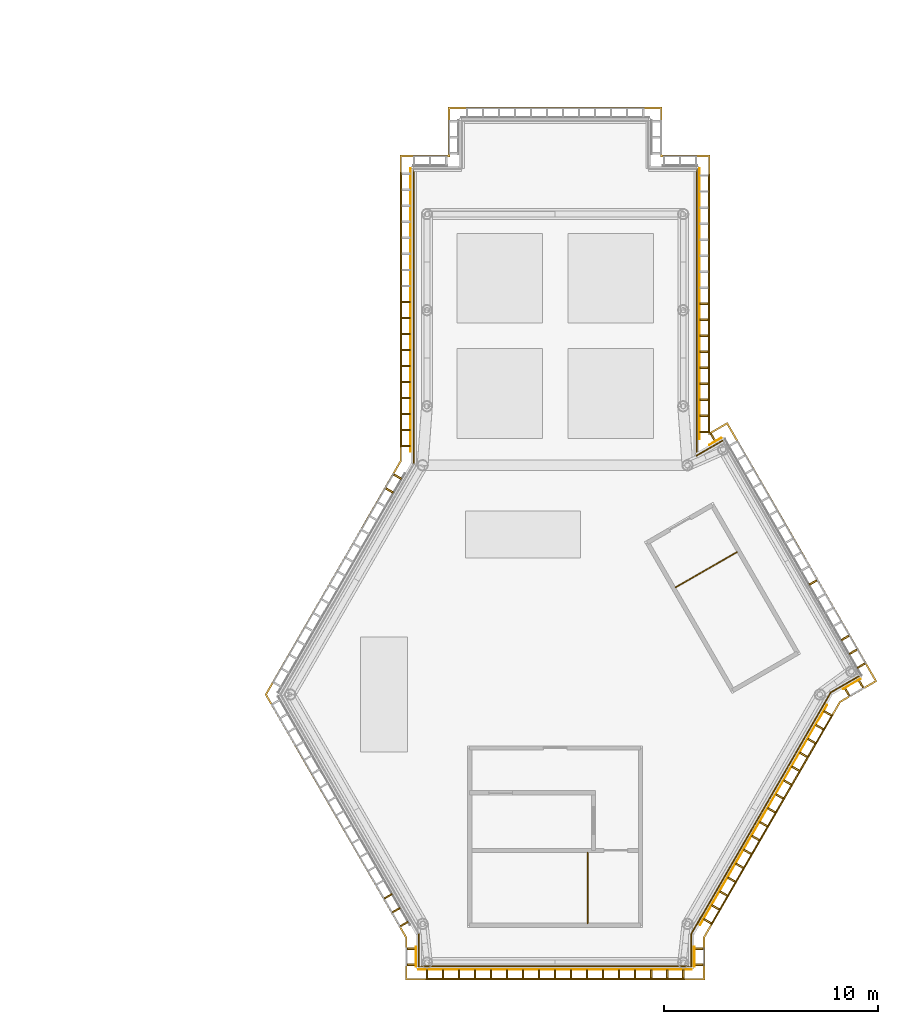
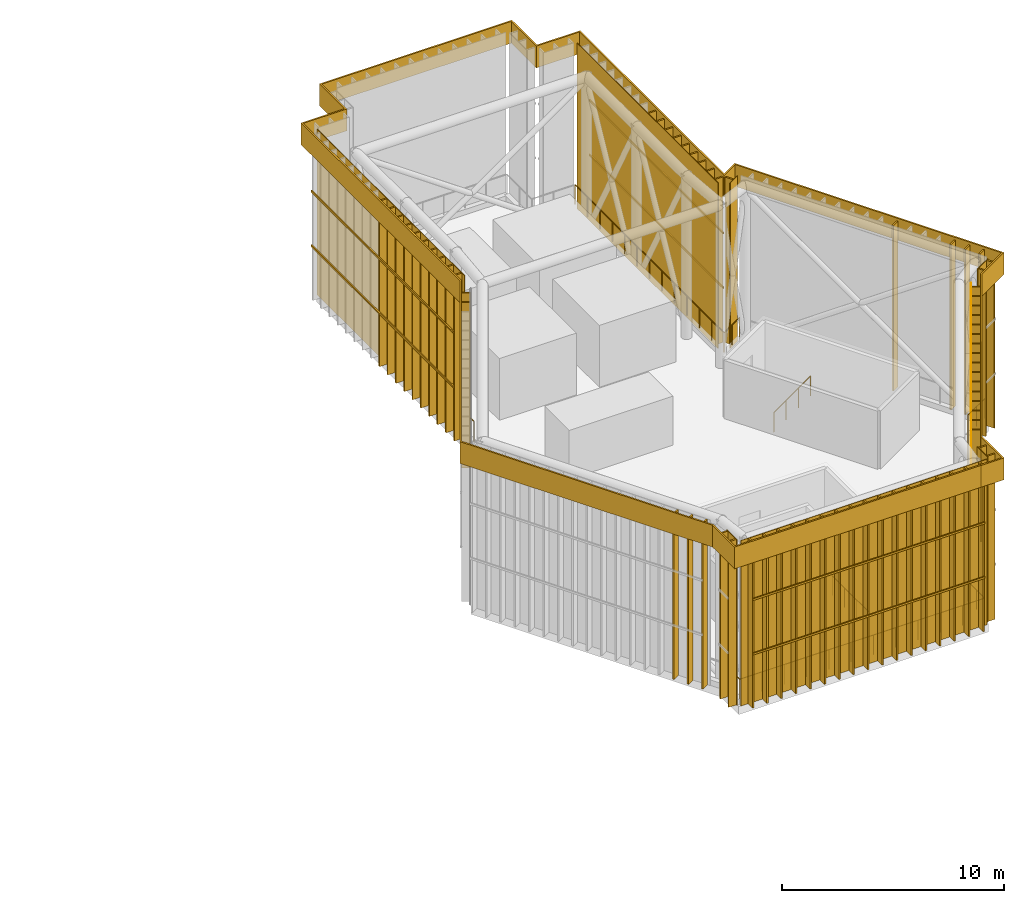
# One storey, part 13 of 17: 85 coverings, 10 railings.
"""IFC4 building model written with IfcOpenShell, lengths in metres."""

from ifc_helpers import new_model, si_unit, direction, frame, origin, origin_2d, place, context, subcontext, project, spatial, polyline, rectangle, circle, outline, extrude, material, layer, layer_set, type_object, element, save


model = new_model("IFC4")

# Units and contexts
model_context = context("Model", 3, precision=1e-05, world=origin(), true_north=direction((0.0, 1.0)))
body_context = subcontext(model_context, "Body", "Model", "MODEL_VIEW")
ifc_project = project(units=[si_unit("LENGTHUNIT", "METRE"), si_unit("AREAUNIT", "SQUARE_METRE"), si_unit("VOLUMEUNIT", "CUBIC_METRE"), si_unit("PLANEANGLEUNIT", "RADIAN"), si_unit("MASSUNIT", "GRAM", prefix="KILO")], contexts=[model_context])

# Site, building, storey
site_placement = place(None, origin())
site = spatial("IfcSite", under=ifc_project, at=site_placement, CompositionType="ELEMENT")
building_placement = place(site_placement, origin())
building = spatial("IfcBuilding", under=site, at=building_placement, Name="Upepo Twin Towers", CompositionType="ELEMENT")
storey_placement = place(building_placement, frame((0.0, 0.0, 296.5)))
storey = spatial("IfcBuildingStorey", under=building, at=storey_placement, Name="RF", CompositionType="ELEMENT", Elevation=296.5)

# Coverings
ifc_material_1 = material(Name="Folded aluminium sheet, pale silver, on a galvanised steel subframe", Category="steel")
ifc_layer_1 = layer(ifc_material_1, 0.080078125)
ifc_layer_set_1 = layer_set([ifc_layer_1], Name="Crown cap fascia 1200 folded aluminium")
covering_type_1 = type_object("IfcCoveringType", Name="Crown cap fascia 1200 folded aluminium", PredefinedType="CLADDING", material=ifc_layer_set_1)
covering_1_placement = place(storey_placement, frame((0.0, 0.0, 8.053955078125)))
element("IfcCovering", 1, at=covering_1_placement, inside=storey, type_object=covering_type_1, Name="T2 crown cap fascia", PredefinedType="CLADDING", context=body_context, shape_type="SweptSolid", body=[
    extrude(outline(polyline([(66.572265625, -5.2451171875), (73.582275390625, -17.38671875), (71.873291015625, -18.373291015625), (65.510009765625, -29.39501953125), (65.510009765625, -31.368408203125), (51.489990234375, -31.368408203125), (51.489990234375, -29.39501953125), (44.9111328125, -18.0), (51.239990234375, -7.0380859375), (51.239990234375, 7.260009765625), (53.489990234375, 7.260009765625), (53.489990234375, 9.510009765625), (63.510009765625, 9.510009765625), (63.510009765625, 7.260009765625), (65.760009765625, 7.260009765625), (65.760009765625, -5.7138671875), (66.572265625, -5.2451171875)]), holes=[polyline([(66.54296875, -5.354248046875), (73.47314453125, -17.357421875), (71.814697265625, -18.314697265625), (65.429931640625, -29.37353515625), (65.429931640625, -31.288330078125), (51.570068359375, -31.288330078125), (51.570068359375, -29.37353515625), (45.00341796875, -18.0), (51.320068359375, -7.0595703125), (51.320068359375, 7.179931640625), (53.570068359375, 7.179931640625), (53.570068359375, 9.429931640625), (63.429931640625, 9.429931640625), (63.429931640625, 7.179931640625), (65.679931640625, 7.179931640625), (65.679931640625, -5.8525390625), (66.54296875, -5.354248046875)])]), origin(), (0.0, 0.0, 1.0), 1.199951171875),
])
ifc_material_2 = material(Name="Anodised aluminium, pale silver", Category="aluminium")
covering_type_2 = type_object("IfcCoveringType", Name="Crown screen fin 80x400 pale aluminium", PredefinedType="CLADDING", material=ifc_material_2)
for number, where, z_axis, x_axis, name in (
    (2, (65.897705078125, -5.957763671875, 0.0), (0.0, 0.0, 1.0), (-0.866025613224, -0.49999963724, 0.0), "T2 crown screen fin 1.1"),
    (3, (65.47998046875, -5.69873046875, 0.0), (0.0, 0.0, 1.0), (0.0, 1.0, 0.0), "T2 crown screen fin 2.1"),
    (4, (65.47998046875, -4.94873046875, 0.0), (0.0, 0.0, 1.0), (0.0, 1.0, 0.0), "T2 crown screen fin 2.2"),
    (5, (65.47998046875, -4.19873046875, 0.0), (0.0, 0.0, 1.0), (0.0, 1.0, 0.0), "T2 crown screen fin 2.3"),
    (6, (65.47998046875, -3.44873046875, 0.0), (0.0, 0.0, 1.0), (0.0, 1.0, 0.0), "T2 crown screen fin 2.4"),
    (7, (65.47998046875, -2.69873046875, 0.0), (0.0, 0.0, 1.0), (0.0, 1.0, 0.0), "T2 crown screen fin 2.5"),
    (8, (65.47998046875, -1.94873046875, 0.0), (0.0, 0.0, 1.0), (0.0, 1.0, 0.0), "T2 crown screen fin 2.6"),
    (9, (65.47998046875, -1.19873046875, 0.0), (0.0, 0.0, 1.0), (0.0, 1.0, 0.0), "T2 crown screen fin 2.7"),
    (10, (65.47998046875, -0.44873046875, 0.0), (0.0, 0.0, 1.0), (0.0, 1.0, 0.0), "T2 crown screen fin 2.8"),
    (11, (65.47998046875, 0.30126953125, 0.0), (0.0, 0.0, 1.0), (0.0, 1.0, 0.0), "T2 crown screen fin 2.9"),
    (12, (51.52001953125, 0.3876953125, 0.0), (0.0, 0.0, 1.0), (0.0, -1.0, 0.0), "T2 crown screen fin 8.9"),
    (13, (51.52001953125, -0.3623046875, 0.0), (0.0, 0.0, 1.0), (0.0, -1.0, 0.0), "T2 crown screen fin 8.10"),
    (14, (51.52001953125, -1.1123046875, 0.0), (0.0, 0.0, 1.0), (0.0, -1.0, 0.0), "T2 crown screen fin 8.11"),
    (15, (51.52001953125, -1.8623046875, 0.0), (0.0, 0.0, 1.0), (0.0, -1.0, 0.0), "T2 crown screen fin 8.12"),
    (16, (51.52001953125, -2.6123046875, 0.0), (0.0, 0.0, 1.0), (0.0, -1.0, 0.0), "T2 crown screen fin 8.13"),
    (17, (51.52001953125, -3.3623046875, 0.0), (0.0, 0.0, 1.0), (0.0, -1.0, 0.0), "T2 crown screen fin 8.14"),
    (18, (51.52001953125, -4.1123046875, 0.0), (0.0, 0.0, 1.0), (0.0, -1.0, 0.0), "T2 crown screen fin 8.15"),
    (19, (51.52001953125, -4.8623046875, 0.0), (0.0, 0.0, 1.0), (0.0, -1.0, 0.0), "T2 crown screen fin 8.16"),
    (20, (51.52001953125, -5.6123046875, 0.0), (0.0, 0.0, 1.0), (0.0, -1.0, 0.0), "T2 crown screen fin 8.17"),
    (21, (51.52001953125, -6.3623046875, 0.0), (0.0, 0.0, 1.0), (0.0, -1.0, 0.0), "T2 crown screen fin 8.18"),
    (22, (51.125732421875, -7.7958984375, 0.0), (0.0, 0.0, 1.0), (-0.499999984885, -0.866025412511, 0.0), "T2 crown screen fin 9.1"),
    (23, (50.750732421875, -8.4453125, 0.0), (0.0, 0.0, 1.0), (-0.499999984885, -0.866025412511, 0.0), "T2 crown screen fin 9.2"),
    (24, (50.688232421875, -27.446533203125, 0.0), (0.0, 0.0, 1.0), (0.500000015115, -0.866025395058, 0.0), "T2 crown screen fin 10.15"),
    (25, (51.063232421875, -28.095947265625, 0.0), (0.0, 0.0, 1.0), (0.500000015115, -0.866025395058, 0.0), "T2 crown screen fin 10.16"),
    (26, (51.438232421875, -28.745361328125, 0.0), (0.0, 0.0, 1.0), (0.500000015115, -0.866025395058, 0.0), "T2 crown screen fin 10.17"),
    (27, (51.77001953125, -29.908447265625, 0.0), (0.0, 0.0, 1.0), (0.0, -1.0, 0.0), "T2 crown screen fin 11.1"),
    (28, (51.77001953125, -30.658447265625, 0.0), (0.0, 0.0, 1.0), (0.0, -1.0, 0.0), "T2 crown screen fin 11.2"),
    (29, (52.5, -31.08837890625, 0.0), (0.0, 0.0, 1.0), (1.0, 0.0, 0.0), "T2 crown screen fin 12.1"),
    (30, (53.25, -31.08837890625, 0.0), (0.0, 0.0, 1.0), (1.0, 0.0, 0.0), "T2 crown screen fin 12.2"),
    (31, (54.0, -31.08837890625, 0.0), (0.0, 0.0, 1.0), (1.0, 0.0, 0.0), "T2 crown screen fin 12.3"),
    (32, (54.75, -31.08837890625, 0.0), (0.0, 0.0, 1.0), (1.0, 0.0, 0.0), "T2 crown screen fin 12.4"),
    (33, (55.5, -31.08837890625, 0.0), (0.0, 0.0, 1.0), (1.0, 0.0, 0.0), "T2 crown screen fin 12.5"),
    (34, (56.25, -31.08837890625, 0.0), (0.0, 0.0, 1.0), (1.0, 0.0, 0.0), "T2 crown screen fin 12.6"),
    (35, (57.0, -31.08837890625, 0.0), (0.0, 0.0, 1.0), (1.0, 0.0, 0.0), "T2 crown screen fin 12.7"),
    (36, (57.75, -31.08837890625, 0.0), (0.0, 0.0, 1.0), (1.0, 0.0, 0.0), "T2 crown screen fin 12.8"),
    (37, (58.5, -31.08837890625, 0.0), (0.0, 0.0, 1.0), (1.0, 0.0, 0.0), "T2 crown screen fin 12.9"),
    (38, (59.25, -31.08837890625, 0.0), (0.0, 0.0, 1.0), (1.0, 0.0, 0.0), "T2 crown screen fin 12.10"),
    (39, (60.0, -31.08837890625, 0.0), (0.0, 0.0, 1.0), (1.0, 0.0, 0.0), "T2 crown screen fin 12.11"),
    (40, (60.75, -31.08837890625, 0.0), (0.0, 0.0, 1.0), (1.0, 0.0, 0.0), "T2 crown screen fin 12.12"),
    (41, (61.5, -31.08837890625, 0.0), (0.0, 0.0, 1.0), (1.0, 0.0, 0.0), "T2 crown screen fin 12.13"),
    (42, (62.25, -31.08837890625, 0.0), (0.0, 0.0, 1.0), (1.0, 0.0, 0.0), "T2 crown screen fin 12.14"),
    (43, (63.0, -31.08837890625, 0.0), (0.0, 0.0, 1.0), (1.0, 0.0, 0.0), "T2 crown screen fin 12.15"),
    (44, (63.75, -31.08837890625, 0.0), (0.0, 0.0, 1.0), (1.0, 0.0, 0.0), "T2 crown screen fin 12.16"),
    (45, (64.5, -31.08837890625, 0.0), (0.0, 0.0, 1.0), (1.0, 0.0, 0.0), "T2 crown screen fin 12.17"),
    (46, (65.22998046875, -30.658447265625, 0.0), (0.0, 0.0, 1.0), (0.0, 1.0, 0.0), "T2 crown screen fin 13.1"),
    (47, (65.22998046875, -29.908447265625, 0.0), (0.0, 0.0, 1.0), (0.0, 1.0, 0.0), "T2 crown screen fin 13.2"),
    (48, (65.63671875, -28.615478515625, 0.0), (0.0, 0.0, 1.0), (0.500000015115, 0.866025395058, 0.0), "T2 crown screen fin 14.1"),
    (49, (66.01171875, -27.966064453125, 0.0), (0.0, 0.0, 1.0), (0.500000015115, 0.866025395058, 0.0), "T2 crown screen fin 14.2"),
    (50, (66.38671875, -27.31640625, 0.0), (0.0, 0.0, 1.0), (0.500000015115, 0.866025395058, 0.0), "T2 crown screen fin 14.3"),
    (51, (66.76171875, -26.6669921875, 0.0), (0.0, 0.0, 1.0), (0.500000015115, 0.866025395058, 0.0), "T2 crown screen fin 14.4"),
    (52, (67.13671875, -26.017578125, 0.0), (0.0, 0.0, 1.0), (0.500000015115, 0.866025395058, 0.0), "T2 crown screen fin 14.5"),
    (53, (67.51171875, -25.367919921875, 0.0), (0.0, 0.0, 1.0), (0.500000015115, 0.866025395058, 0.0), "T2 crown screen fin 14.6"),
    (54, (67.88671875, -24.718505859375, 0.0), (0.0, 0.0, 1.0), (0.500000015115, 0.866025395058, 0.0), "T2 crown screen fin 14.7"),
    (55, (68.26171875, -24.06884765625, 0.0), (0.0, 0.0, 1.0), (0.500000015115, 0.866025395058, 0.0), "T2 crown screen fin 14.8"),
    (56, (68.63671875, -23.41943359375, 0.0), (0.0, 0.0, 1.0), (0.500000015115, 0.866025395058, 0.0), "T2 crown screen fin 14.9"),
    (57, (69.01171875, -22.769775390625, 0.0), (0.0, 0.0, 1.0), (0.500000015115, 0.866025395058, 0.0), "T2 crown screen fin 14.10"),
    (58, (69.38671875, -22.120361328125, 0.0), (0.0, 0.0, 1.0), (0.500000015115, 0.866025395058, 0.0), "T2 crown screen fin 14.11"),
    (59, (69.76171875, -21.470947265625, 0.0), (0.0, 0.0, 1.0), (0.500000015115, 0.866025395058, 0.0), "T2 crown screen fin 14.12"),
    (60, (70.13671875, -20.8212890625, 0.0), (0.0, 0.0, 1.0), (0.500000015115, 0.866025395058, 0.0), "T2 crown screen fin 14.13"),
    (61, (70.51171875, -20.171875, 0.0), (0.0, 0.0, 1.0), (0.500000015115, 0.866025395058, 0.0), "T2 crown screen fin 14.14"),
    (62, (70.88671875, -19.522216796875, 0.0), (0.0, 0.0, 1.0), (0.500000015115, 0.866025395058, 0.0), "T2 crown screen fin 14.15"),
    (63, (71.26171875, -18.872802734375, 0.0), (0.0, 0.0, 1.0), (0.500000015115, 0.866025395058, 0.0), "T2 crown screen fin 14.16"),
    (64, (72.177978515625, -17.874267578125, 0.0), (0.0, 0.0, 1.0), (0.866025456144, 0.49999990931, 0.0), "T2 crown screen fin 15.1"),
    (65, (72.827392578125, -17.499267578125, 0.0), (0.0, 0.0, 1.0), (0.866025456144, 0.49999990931, 0.0), "T2 crown screen fin 15.2"),
    (66, (72.834716796875, -16.652099609375, 0.0), (0.0, 0.0, 1.0), (-0.500000015115, 0.866025395058, 0.0), "T2 crown screen fin 16.1"),
    (67, (72.459716796875, -16.00244140625, 0.0), (0.0, 0.0, 1.0), (-0.500000015115, 0.866025395058, 0.0), "T2 crown screen fin 16.2"),
    (68, (72.084716796875, -15.35302734375, 0.0), (0.0, 0.0, 1.0), (-0.500000015115, 0.866025395058, 0.0), "T2 crown screen fin 16.3"),
    (69, (70.584716796875, -12.7548828125, 0.0), (0.0, 0.0, 1.0), (-0.500000015115, 0.866025395058, 0.0), "T2 crown screen fin 16.7"),
):
    element("IfcCovering", number, at=place(storey_placement, frame(where, z_axis=z_axis, x_axis=x_axis)), inside=storey, type_object=covering_type_2, Name=name, PredefinedType="CLADDING", context=body_context, shape_type="SweptSolid", body=[
        extrude(rectangle(XDim=0.080078125, YDim=0.39990234375, at=origin_2d()), origin(), (0.0, 0.0, 1.0), 9.10400390625),
    ])
ifc_material_3 = material(Name="Perforated anodised aluminium sheet 3 mm, pale silver, on an aluminium subframe", Category="aluminium")
ifc_layer_2 = layer(ifc_material_3, 0.030029296875)
ifc_layer_set_2 = layer_set([ifc_layer_2], Name="Crown screen panel 30 perforated aluminium")
covering_type_3 = type_object("IfcCoveringType", Name="Crown screen panel 30 perforated aluminium", PredefinedType="CLADDING", material=ifc_layer_set_2)
covering_2_placement = place(storey_placement, frame((66.005126953125, -6.14404296875, 0.0), z_axis=(0.0, 0.0, 1.0), x_axis=(-0.866025613224, -0.49999963724, 0.0)))
element("IfcCovering", 70, at=covering_2_placement, inside=storey, type_object=covering_type_3, Name="T2 crown screen panel 1", PredefinedType="CLADDING", context=body_context, shape_type="SweptSolid", body=[
    extrude(rectangle(XDim=0.661376953125, YDim=0.030029296875, at=origin_2d()), origin(), (0.0, 0.0, 1.0), 9.10400390625),
])
covering_3_placement = place(storey_placement, frame((65.264892578125, 0.30126953125, 0.0), z_axis=(0.0, 0.0, 1.0), x_axis=(0.0, 1.0, 0.0)))
element("IfcCovering", 71, at=covering_3_placement, inside=storey, type_object=covering_type_3, Name="T2 crown screen panel 2", PredefinedType="CLADDING", context=body_context, shape_type="SweptSolid", body=[
    extrude(rectangle(XDim=12.697265625, YDim=0.030029296875, at=origin_2d()), origin(), (0.0, 0.0, 1.0), 9.10400390625),
])
covering_4_placement = place(storey_placement, frame((51.735107421875, 0.0126953125, 0.0), z_axis=(0.0, 0.0, 1.0), x_axis=(0.0, -1.0, 0.0)))
element("IfcCovering", 72, at=covering_4_placement, inside=storey, type_object=covering_type_3, Name="T2 crown screen panel 8", PredefinedType="CLADDING", context=body_context, shape_type="SweptSolid", body=[
    extrude(rectangle(XDim=13.274658203125, YDim=0.030029296875, at=origin_2d()), origin(), (0.0, 0.0, 1.0), 9.10400390625),
])
covering_5_placement = place(storey_placement, frame((51.985107421875, -30.283447265625, 0.0), z_axis=(0.0, 0.0, 1.0), x_axis=(0.0, -1.0, 0.0)))
element("IfcCovering", 73, at=covering_5_placement, inside=storey, type_object=covering_type_3, Name="T2 crown screen panel 11", PredefinedType="CLADDING", context=body_context, shape_type="SweptSolid", body=[
    extrude(rectangle(XDim=0.949951171875, YDim=0.030029296875, at=origin_2d()), origin(), (0.0, 0.0, 1.0), 9.10400390625),
])
covering_6_placement = place(storey_placement, frame((58.5, -30.873291015625, 0.0), z_axis=(0.0, 0.0, 1.0), x_axis=(1.0, 0.0, 0.0)))
element("IfcCovering", 74, at=covering_6_placement, inside=storey, type_object=covering_type_3, Name="T2 crown screen panel 12", PredefinedType="CLADDING", context=body_context, shape_type="SweptSolid", body=[
    extrude(rectangle(XDim=12.800048828125, YDim=0.030029296875, at=origin_2d()), origin(), (0.0, 0.0, 1.0), 9.10400390625),
])
covering_7_placement = place(storey_placement, frame((65.014892578125, -30.283447265625, 0.0), z_axis=(0.0, 0.0, 1.0), x_axis=(0.0, 1.0, 0.0)))
element("IfcCovering", 75, at=covering_7_placement, inside=storey, type_object=covering_type_3, Name="T2 crown screen panel 13", PredefinedType="CLADDING", context=body_context, shape_type="SweptSolid", body=[
    extrude(rectangle(XDim=0.949951171875, YDim=0.030029296875, at=origin_2d()), origin(), (0.0, 0.0, 1.0), 9.10400390625),
])
covering_8_placement = place(storey_placement, frame((68.262939453125, -23.63671875, 0.0), z_axis=(0.0, 0.0, 1.0), x_axis=(0.500000015115, 0.866025395058, 0.0)))
element("IfcCovering", 76, at=covering_8_placement, inside=storey, type_object=covering_type_3, Name="T2 crown screen panel 14", PredefinedType="CLADDING", context=body_context, shape_type="SweptSolid", body=[
    extrude(rectangle(XDim=11.89990234375, YDim=0.030029296875, at=origin_2d()), origin(), (0.0, 0.0, 1.0), 9.10400390625),
])
covering_9_placement = place(storey_placement, frame((72.395263671875, -17.50048828125, 0.0), z_axis=(0.0, 0.0, 1.0), x_axis=(0.866025456144, 0.49999990931, 0.0)))
element("IfcCovering", 77, at=covering_9_placement, inside=storey, type_object=covering_type_3, Name="T2 crown screen panel 15", PredefinedType="CLADDING", context=body_context, shape_type="SweptSolid", body=[
    extrude(rectangle(XDim=0.949951171875, YDim=0.030029296875, at=origin_2d()), origin(), (0.0, 0.0, 1.0), 9.10400390625),
])
ifc_material_4 = material(Name="Anodised aluminium, pale silver", Category="aluminium")
covering_type_4 = type_object("IfcCoveringType", Name="Crown screen rail 60x100 pale aluminium", PredefinedType="CLADDING", material=ifc_material_4)
for number, where, z_axis, x_axis, name in (
    (78, (65.7099609375, 0.30126953125, 2.949951171875), (0.0, 0.0, 1.0), (0.0, 1.0, 0.0), "T2 crown screen rail 2.1"),
    (79, (65.7099609375, 0.30126953125, 5.949951171875), (0.0, 0.0, 1.0), (0.0, 1.0, 0.0), "T2 crown screen rail 2.2"),
):
    element("IfcCovering", number, at=place(storey_placement, frame(where, z_axis=z_axis, x_axis=x_axis)), inside=storey, type_object=covering_type_4, Name=name, PredefinedType="CLADDING", context=body_context, shape_type="SweptSolid", body=[
        extrude(rectangle(XDim=12.080078125, YDim=0.06005859375, at=origin_2d()), origin(), (0.0, 0.0, 1.0), 0.10009765625),
    ])
for number, where, z_axis, x_axis, name in (
    (80, (51.2900390625, 0.0126953125, 2.949951171875), (0.0, 0.0, 1.0), (0.0, -1.0, 0.0), "T2 crown screen rail 8.1"),
    (81, (51.2900390625, 0.0126953125, 5.949951171875), (0.0, 0.0, 1.0), (0.0, -1.0, 0.0), "T2 crown screen rail 8.2"),
):
    element("IfcCovering", number, at=place(storey_placement, frame(where, z_axis=z_axis, x_axis=x_axis)), inside=storey, type_object=covering_type_4, Name=name, PredefinedType="CLADDING", context=body_context, shape_type="SweptSolid", body=[
        extrude(rectangle(XDim=12.830078125, YDim=0.06005859375, at=origin_2d()), origin(), (0.0, 0.0, 1.0), 0.10009765625),
    ])
for number, where, z_axis, x_axis, name in (
    (82, (58.5, -31.318359375, 2.949951171875), (0.0, 0.0, 1.0), (1.0, 0.0, 0.0), "T2 crown screen rail 12.1"),
    (83, (58.5, -31.318359375, 5.949951171875), (0.0, 0.0, 1.0), (1.0, 0.0, 0.0), "T2 crown screen rail 12.2"),
):
    element("IfcCovering", number, at=place(storey_placement, frame(where, z_axis=z_axis, x_axis=x_axis)), inside=storey, type_object=covering_type_4, Name=name, PredefinedType="CLADDING", context=body_context, shape_type="SweptSolid", body=[
        extrude(rectangle(XDim=12.080078125, YDim=0.06005859375, at=origin_2d()), origin(), (0.0, 0.0, 1.0), 0.10009765625),
    ])
for number, where, z_axis, x_axis, name in (
    (84, (68.6484375, -23.859130859375, 2.949951171875), (0.0, 0.0, 1.0), (0.500000015115, 0.866025395058, 0.0), "T2 crown screen rail 14.1"),
    (85, (68.6484375, -23.859130859375, 5.949951171875), (0.0, 0.0, 1.0), (0.500000015115, 0.866025395058, 0.0), "T2 crown screen rail 14.2"),
):
    element("IfcCovering", number, at=place(storey_placement, frame(where, z_axis=z_axis, x_axis=x_axis)), inside=storey, type_object=covering_type_4, Name=name, PredefinedType="CLADDING", context=body_context, shape_type="SweptSolid", body=[
        extrude(rectangle(XDim=11.330078125, YDim=0.06005859375, at=origin_2d()), origin(), (0.0, 0.0, 1.0), 0.10009765625),
    ])

# Railings
ifc_material_5 = material(Name="Stainless steel and glass", Category="steel")
railing_type_1 = type_object("IfcRailingType", Name="Guard 1100", PredefinedType="GUARDRAIL", material=ifc_material_5)
railing_1_placement = place(storey_placement, frame((60.02001953125, -25.39990234375, 0.0)))
element("IfcRailing", 86, at=railing_1_placement, inside=storey, type_object=railing_type_1, Name="T2 stair S1 roof landing well guard", PredefinedType="GUARDRAIL", context=body_context, shape_type="SweptSolid", body=[
    extrude(circle(Radius=0.02392578125, at=origin_2d()), frame((0.0, 0.0, 1.076171875), z_axis=(0.0, -1.0, 0.0), x_axis=(1.0, 0.0, 0.0)), (0.0, 0.0, 1.0), 3.308349609375),
    extrude(circle(Radius=0.02099609375, at=origin_2d()), origin(), (0.0, 0.0, 1.0), 1.052001953125),
    extrude(circle(Radius=0.02099609375, at=origin_2d()), frame((0.0, -1.102783203125, 0.0)), (0.0, 0.0, 1.0), 1.052001953125),
    extrude(circle(Radius=0.02099609375, at=origin_2d()), frame((0.0, -2.20556640625, 0.0)), (0.0, 0.0, 1.0), 1.052001953125),
    extrude(circle(Radius=0.02099609375, at=origin_2d()), frame((0.0, -3.308349609375, 0.0)), (0.0, 0.0, 1.0), 1.052001953125),
])
railing_2_placement = place(storey_placement, frame((64.148681640625, -12.983642578125, 0.0)))
element("IfcRailing", 87, at=railing_2_placement, inside=storey, type_object=railing_type_1, Name="T2 stair S2 roof landing well guard", PredefinedType="GUARDRAIL", context=body_context, shape_type="SweptSolid", body=[
    extrude(circle(Radius=0.02392578125, at=origin_2d()), frame((0.0, 0.0, 1.076171875), z_axis=(0.866031967744, 0.499988630717, 0.0), x_axis=(-0.499988630717, 0.866031967744, 0.0)), (0.0, 0.0, 1.0), 3.30810546875),
    extrude(circle(Radius=0.02099609375, at=origin_2d()), origin(), (0.0, 0.0, 1.0), 1.052001953125),
    extrude(circle(Radius=0.02099609375, at=origin_2d()), frame((0.955078125, 0.55126953125, 0.0)), (0.0, 0.0, 1.0), 1.052001953125),
    extrude(circle(Radius=0.02099609375, at=origin_2d()), frame((1.909912109375, 1.102783203125, 0.0)), (0.0, 0.0, 1.0), 1.052001953125),
    extrude(circle(Radius=0.02099609375, at=origin_2d()), frame((2.864990234375, 1.654052734375, 0.0)), (0.0, 0.0, 1.0), 1.052001953125),
])
ifc_material_6 = material(Name="Galvanised steel S275", Category="steel")
railing_type_2 = type_object("IfcRailingType", Name="Roof edge guardrail 1100 steel", PredefinedType="GUARDRAIL", material=ifc_material_6)
railing_3_placement = place(storey_placement, frame((72.71484375, -17.154296875, 0.300048828125)))
element("IfcRailing", 88, at=railing_3_placement, inside=storey, type_object=railing_type_2, Name="T2 roof edge guardrail 2", PredefinedType="GUARDRAIL", context=body_context, shape_type="SweptSolid", body=[
    extrude(circle(Radius=0.02392578125, at=origin_2d()), frame((0.0, 0.0, 1.076171875), z_axis=(-0.866053525905, -0.499951287894, 0.0), x_axis=(0.499951287894, -0.866053525905, 0.0)), (0.0, 0.0, 1.0), 1.508544921875),
    extrude(circle(Radius=0.02099609375, at=origin_2d()), origin(), (0.0, 0.0, 1.0), 1.052001953125),
    extrude(circle(Radius=0.02099609375, at=origin_2d()), frame((-0.6533203125, -0.376953125, 0.0)), (0.0, 0.0, 1.0), 1.052001953125),
    extrude(circle(Radius=0.02099609375, at=origin_2d()), frame((-1.306396484375, -0.754150390625, 0.0)), (0.0, 0.0, 1.0), 1.052001953125),
])
railing_4_placement = place(storey_placement, frame((71.408447265625, -17.908447265625, 0.300048828125)))
element("IfcRailing", 89, at=railing_4_placement, inside=storey, type_object=railing_type_2, Name="T2 roof edge guardrail 3", PredefinedType="GUARDRAIL", context=body_context, shape_type="SweptSolid", body=[
    extrude(circle(Radius=0.02392578125, at=origin_2d()), frame((0.0, 0.0, 1.076171875), z_axis=(-0.499995240161, -0.866028151861, 0.0), x_axis=(0.866028151861, -0.499995240161, 0.0)), (0.0, 0.0, 1.0), 13.067138671875),
    extrude(circle(Radius=0.02099609375, at=origin_2d()), origin(), (0.0, 0.0, 1.0), 1.052001953125),
    extrude(circle(Radius=0.02099609375, at=origin_2d()), frame((-0.593994140625, -1.02880859375, 0.0)), (0.0, 0.0, 1.0), 1.052001953125),
    extrude(circle(Radius=0.02099609375, at=origin_2d()), frame((-1.18798828125, -2.0576171875, 0.0)), (0.0, 0.0, 1.0), 1.052001953125),
    extrude(circle(Radius=0.02099609375, at=origin_2d()), frame((-1.78173828125, -3.086181640625, 0.0)), (0.0, 0.0, 1.0), 1.052001953125),
    extrude(circle(Radius=0.02099609375, at=origin_2d()), frame((-2.375732421875, -4.114990234375, 0.0)), (0.0, 0.0, 1.0), 1.052001953125),
    extrude(circle(Radius=0.02099609375, at=origin_2d()), frame((-2.9697265625, -5.143798828125, 0.0)), (0.0, 0.0, 1.0), 1.052001953125),
    extrude(circle(Radius=0.02099609375, at=origin_2d()), frame((-3.563720703125, -6.172607421875, 0.0)), (0.0, 0.0, 1.0), 1.052001953125),
    extrude(circle(Radius=0.02099609375, at=origin_2d()), frame((-4.15771484375, -7.201416015625, 0.0)), (0.0, 0.0, 1.0), 1.052001953125),
    extrude(circle(Radius=0.02099609375, at=origin_2d()), frame((-4.751708984375, -8.230224609375, 0.0)), (0.0, 0.0, 1.0), 1.052001953125),
    extrude(circle(Radius=0.02099609375, at=origin_2d()), frame((-5.345458984375, -9.2587890625, 0.0)), (0.0, 0.0, 1.0), 1.052001953125),
    extrude(circle(Radius=0.02099609375, at=origin_2d()), frame((-5.939453125, -10.28759765625, 0.0)), (0.0, 0.0, 1.0), 1.052001953125),
    extrude(circle(Radius=0.02099609375, at=origin_2d()), frame((-6.533447265625, -11.31640625, 0.0)), (0.0, 0.0, 1.0), 1.052001953125),
])
railing_5_placement = place(storey_placement, frame((64.875, -29.224853515625, 0.300048828125)))
element("IfcRailing", 90, at=railing_5_placement, inside=storey, type_object=railing_type_2, Name="T2 roof edge guardrail 4", PredefinedType="GUARDRAIL", context=body_context, shape_type="SweptSolid", body=[
    extrude(circle(Radius=0.02392578125, at=origin_2d()), frame((0.0, 0.0, 1.076171875), z_axis=(0.0, -1.0, 0.0), x_axis=(1.0, 0.0, 0.0)), (0.0, 0.0, 1.0), 1.508544921875),
    extrude(circle(Radius=0.02099609375, at=origin_2d()), origin(), (0.0, 0.0, 1.0), 1.052001953125),
    extrude(circle(Radius=0.02099609375, at=origin_2d()), frame((0.0, -0.75439453125, 0.0)), (0.0, 0.0, 1.0), 1.052001953125),
    extrude(circle(Radius=0.02099609375, at=origin_2d()), frame((0.0, -1.508544921875, 0.0)), (0.0, 0.0, 1.0), 1.052001953125),
])
railing_6_placement = place(storey_placement, frame((64.875, -30.7333984375, 0.300048828125)))
element("IfcRailing", 91, at=railing_6_placement, inside=storey, type_object=railing_type_2, Name="T2 roof edge guardrail 5", PredefinedType="GUARDRAIL", context=body_context, shape_type="SweptSolid", body=[
    extrude(circle(Radius=0.02392578125, at=origin_2d()), frame((0.0, 0.0, 1.076171875), z_axis=(-1.0, 0.0, 0.0), x_axis=(0.0, -1.0, 0.0)), (0.0, 0.0, 1.0), 12.75),
    extrude(circle(Radius=0.02099609375, at=origin_2d()), origin(), (0.0, 0.0, 1.0), 1.052001953125),
    extrude(circle(Radius=0.02099609375, at=origin_2d()), frame((-1.1591796875, 0.0, 0.0)), (0.0, 0.0, 1.0), 1.052001953125),
    extrude(circle(Radius=0.02099609375, at=origin_2d()), frame((-2.318115234375, 0.0, 0.0)), (0.0, 0.0, 1.0), 1.052001953125),
    extrude(circle(Radius=0.02099609375, at=origin_2d()), frame((-3.477294921875, 0.0, 0.0)), (0.0, 0.0, 1.0), 1.052001953125),
    extrude(circle(Radius=0.02099609375, at=origin_2d()), frame((-4.636474609375, 0.0, 0.0)), (0.0, 0.0, 1.0), 1.052001953125),
    extrude(circle(Radius=0.02099609375, at=origin_2d()), frame((-5.79541015625, 0.0, 0.0)), (0.0, 0.0, 1.0), 1.052001953125),
    extrude(circle(Radius=0.02099609375, at=origin_2d()), frame((-6.95458984375, 0.0, 0.0)), (0.0, 0.0, 1.0), 1.052001953125),
    extrude(circle(Radius=0.02099609375, at=origin_2d()), frame((-8.113525390625, 0.0, 0.0)), (0.0, 0.0, 1.0), 1.052001953125),
    extrude(circle(Radius=0.02099609375, at=origin_2d()), frame((-9.272705078125, 0.0, 0.0)), (0.0, 0.0, 1.0), 1.052001953125),
    extrude(circle(Radius=0.02099609375, at=origin_2d()), frame((-10.431884765625, 0.0, 0.0)), (0.0, 0.0, 1.0), 1.052001953125),
    extrude(circle(Radius=0.02099609375, at=origin_2d()), frame((-11.5908203125, 0.0, 0.0)), (0.0, 0.0, 1.0), 1.052001953125),
    extrude(circle(Radius=0.02099609375, at=origin_2d()), frame((-12.75, 0.0, 0.0)), (0.0, 0.0, 1.0), 1.052001953125),
])
railing_7_placement = place(storey_placement, frame((52.125, -30.7333984375, 0.300048828125)))
element("IfcRailing", 92, at=railing_7_placement, inside=storey, type_object=railing_type_2, Name="T2 roof edge guardrail 6", PredefinedType="GUARDRAIL", context=body_context, shape_type="SweptSolid", body=[
    extrude(circle(Radius=0.02392578125, at=origin_2d()), frame((0.0, 0.0, 1.076171875), z_axis=(0.0, 1.0, 0.0), x_axis=(-1.0, 0.0, 0.0)), (0.0, 0.0, 1.0), 1.508544921875),
    extrude(circle(Radius=0.02099609375, at=origin_2d()), origin(), (0.0, 0.0, 1.0), 1.052001953125),
    extrude(circle(Radius=0.02099609375, at=origin_2d()), frame((0.0, 0.75439453125, 0.0)), (0.0, 0.0, 1.0), 1.052001953125),
    extrude(circle(Radius=0.02099609375, at=origin_2d()), frame((0.0, 1.508544921875, 0.0)), (0.0, 0.0, 1.0), 1.052001953125),
])
railing_8_placement = place(storey_placement, frame((51.875, -7.208251953125, 0.300048828125)))
element("IfcRailing", 93, at=railing_8_placement, inside=storey, type_object=railing_type_2, Name="T2 roof edge guardrail 9", PredefinedType="GUARDRAIL", context=body_context, shape_type="SweptSolid", body=[
    extrude(circle(Radius=0.02392578125, at=origin_2d()), frame((0.0, 0.0, 1.076171875), z_axis=(0.0, 1.0, 0.0), x_axis=(-1.0, 0.0, 0.0)), (0.0, 0.0, 1.0), 13.833251953125),
    extrude(circle(Radius=0.02099609375, at=origin_2d()), origin(), (0.0, 0.0, 1.0), 1.052001953125),
    extrude(circle(Radius=0.02099609375, at=origin_2d()), frame((0.0, 1.15283203125, 0.0)), (0.0, 0.0, 1.0), 1.052001953125),
    extrude(circle(Radius=0.02099609375, at=origin_2d()), frame((0.0, 2.3056640625, 0.0)), (0.0, 0.0, 1.0), 1.052001953125),
    extrude(circle(Radius=0.02099609375, at=origin_2d()), frame((0.0, 3.458251953125, 0.0)), (0.0, 0.0, 1.0), 1.052001953125),
    extrude(circle(Radius=0.02099609375, at=origin_2d()), frame((0.0, 4.611083984375, 0.0)), (0.0, 0.0, 1.0), 1.052001953125),
    extrude(circle(Radius=0.02099609375, at=origin_2d()), frame((0.0, 5.763916015625, 0.0)), (0.0, 0.0, 1.0), 1.052001953125),
    extrude(circle(Radius=0.02099609375, at=origin_2d()), frame((0.0, 6.91650390625, 0.0)), (0.0, 0.0, 1.0), 1.052001953125),
    extrude(circle(Radius=0.02099609375, at=origin_2d()), frame((0.0, 8.0693359375, 0.0)), (0.0, 0.0, 1.0), 1.052001953125),
    extrude(circle(Radius=0.02099609375, at=origin_2d()), frame((0.0, 9.22216796875, 0.0)), (0.0, 0.0, 1.0), 1.052001953125),
    extrude(circle(Radius=0.02099609375, at=origin_2d()), frame((0.0, 10.375, 0.0)), (0.0, 0.0, 1.0), 1.052001953125),
    extrude(circle(Radius=0.02099609375, at=origin_2d()), frame((0.0, 11.52783203125, 0.0)), (0.0, 0.0, 1.0), 1.052001953125),
    extrude(circle(Radius=0.02099609375, at=origin_2d()), frame((0.0, 12.680419921875, 0.0)), (0.0, 0.0, 1.0), 1.052001953125),
    extrude(circle(Radius=0.02099609375, at=origin_2d()), frame((0.0, 13.833251953125, 0.0)), (0.0, 0.0, 1.0), 1.052001953125),
])
railing_9_placement = place(storey_placement, frame((65.125, 6.625, 0.300048828125)))
element("IfcRailing", 94, at=railing_9_placement, inside=storey, type_object=railing_type_2, Name="T2 roof edge guardrail 15", PredefinedType="GUARDRAIL", context=body_context, shape_type="SweptSolid", body=[
    extrude(circle(Radius=0.02392578125, at=origin_2d()), frame((0.0, 0.0, 1.076171875), z_axis=(0.0, -1.0, 0.0), x_axis=(1.0, 0.0, 0.0)), (0.0, 0.0, 1.0), 13.438720703125),
    extrude(circle(Radius=0.02099609375, at=origin_2d()), origin(), (0.0, 0.0, 1.0), 1.052001953125),
    extrude(circle(Radius=0.02099609375, at=origin_2d()), frame((0.0, -1.119873046875, 0.0)), (0.0, 0.0, 1.0), 1.052001953125),
    extrude(circle(Radius=0.02099609375, at=origin_2d()), frame((0.0, -2.23974609375, 0.0)), (0.0, 0.0, 1.0), 1.052001953125),
    extrude(circle(Radius=0.02099609375, at=origin_2d()), frame((0.0, -3.359619140625, 0.0)), (0.0, 0.0, 1.0), 1.052001953125),
    extrude(circle(Radius=0.02099609375, at=origin_2d()), frame((0.0, -4.4794921875, 0.0)), (0.0, 0.0, 1.0), 1.052001953125),
    extrude(circle(Radius=0.02099609375, at=origin_2d()), frame((0.0, -5.599365234375, 0.0)), (0.0, 0.0, 1.0), 1.052001953125),
    extrude(circle(Radius=0.02099609375, at=origin_2d()), frame((0.0, -6.71923828125, 0.0)), (0.0, 0.0, 1.0), 1.052001953125),
    extrude(circle(Radius=0.02099609375, at=origin_2d()), frame((0.0, -7.83935546875, 0.0)), (0.0, 0.0, 1.0), 1.052001953125),
    extrude(circle(Radius=0.02099609375, at=origin_2d()), frame((0.0, -8.959228515625, 0.0)), (0.0, 0.0, 1.0), 1.052001953125),
    extrude(circle(Radius=0.02099609375, at=origin_2d()), frame((0.0, -10.0791015625, 0.0)), (0.0, 0.0, 1.0), 1.052001953125),
    extrude(circle(Radius=0.02099609375, at=origin_2d()), frame((0.0, -11.198974609375, 0.0)), (0.0, 0.0, 1.0), 1.052001953125),
    extrude(circle(Radius=0.02099609375, at=origin_2d()), frame((0.0, -12.31884765625, 0.0)), (0.0, 0.0, 1.0), 1.052001953125),
    extrude(circle(Radius=0.02099609375, at=origin_2d()), frame((0.0, -13.438720703125, 0.0)), (0.0, 0.0, 1.0), 1.052001953125),
])
railing_10_placement = place(storey_placement, frame((65.125, -6.813720703125, 0.300048828125)))
element("IfcRailing", 95, at=railing_10_placement, inside=storey, type_object=railing_type_2, Name="T2 roof edge guardrail 16", PredefinedType="GUARDRAIL", context=body_context, shape_type="SweptSolid", body=[
    extrude(circle(Radius=0.02392578125, at=origin_2d()), frame((0.0, 0.0, 1.076171875), z_axis=(0.866017486206, 0.500013713398, 0.0), x_axis=(-0.500013713398, 0.866017486206, 0.0)), (0.0, 0.0, 1.0), 1.40283203125),
    extrude(circle(Radius=0.02099609375, at=origin_2d()), origin(), (0.0, 0.0, 1.0), 1.052001953125),
    extrude(circle(Radius=0.02099609375, at=origin_2d()), frame((0.607421875, 0.3505859375, 0.0)), (0.0, 0.0, 1.0), 1.052001953125),
    extrude(circle(Radius=0.02099609375, at=origin_2d()), frame((1.21484375, 0.701416015625, 0.0)), (0.0, 0.0, 1.0), 1.052001953125),
])

save(model, "model.ifc")
